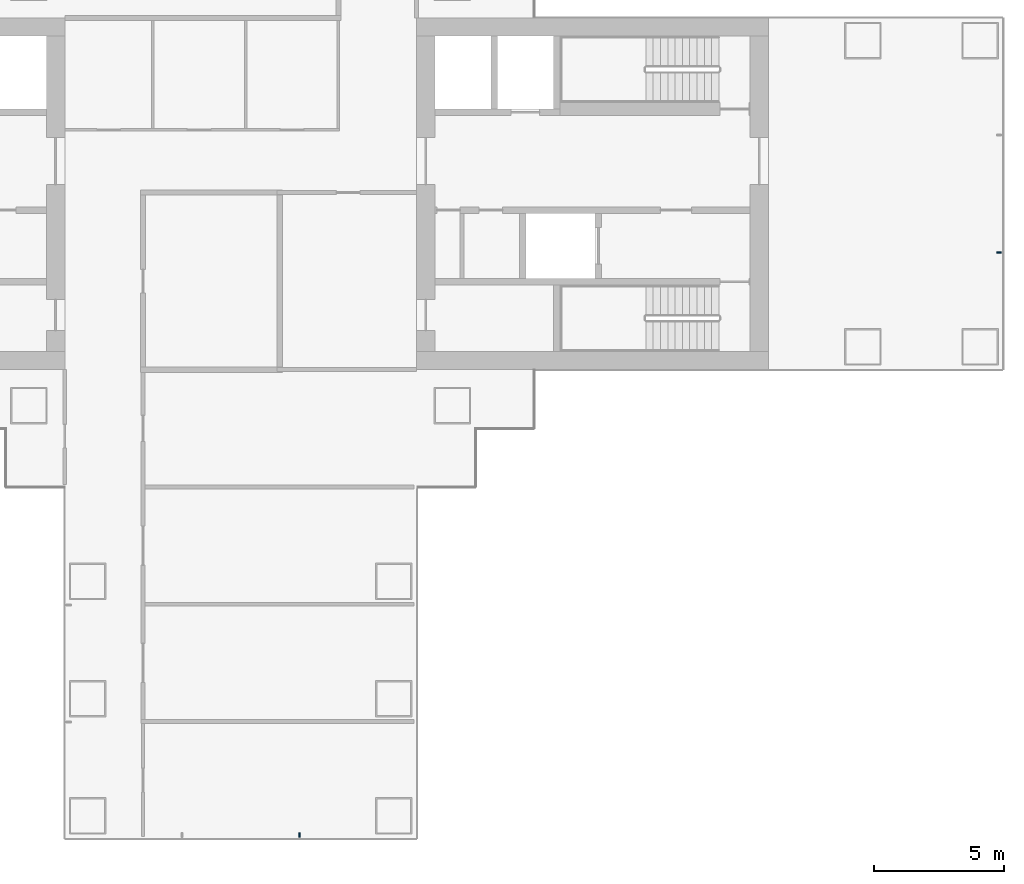
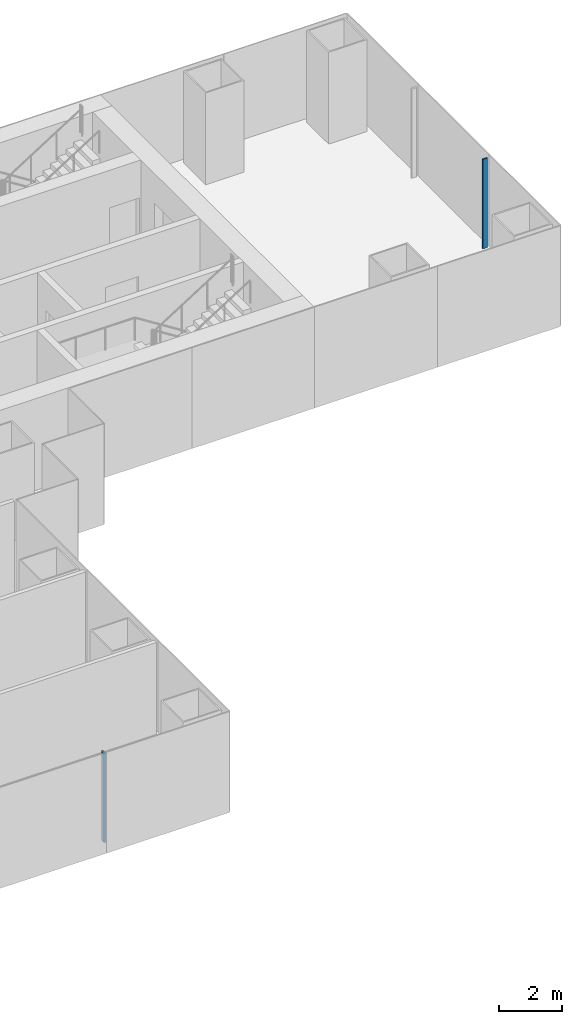
# One storey, part 7 of 21: 2 members, 2 elements without a shape of their own.
"""IFC4 building model written with IfcOpenShell, lengths in metres."""

from ifc_helpers import new_model, si_unit, direction, frame, origin, origin_2d, place, context, subcontext, project, spatial, rectangle, extrude, material, layer, layer_set, material_profile, profile_set, type_object, element, aggregate, save


model = new_model("IFC4")

# Units and contexts
model_context = context("Model", 3, precision=1e-05, world=origin(), true_north=direction((0.0, 1.0)))
body_context = subcontext(model_context, "Body", "Model", "MODEL_VIEW")
ifc_project = project(units=[si_unit("LENGTHUNIT", "METRE"), si_unit("AREAUNIT", "SQUARE_METRE"), si_unit("VOLUMEUNIT", "CUBIC_METRE"), si_unit("PLANEANGLEUNIT", "RADIAN"), si_unit("MASSUNIT", "GRAM", prefix="KILO")], contexts=[model_context])

# Site, building, storey
site_placement = place(None, origin())
site = spatial("IfcSite", under=ifc_project, at=site_placement, CompositionType="ELEMENT")
building_placement = place(site_placement, origin())
building = spatial("IfcBuilding", under=site, at=building_placement, Name="Shamsa Quay Exchange Towers", CompositionType="ELEMENT")
storey_placement = place(building_placement, frame((0.0, 0.0, 45.89990234375)))
storey = spatial("IfcBuildingStorey", under=building, at=storey_placement, Name="L09", CompositionType="ELEMENT", Elevation=45.89990234375)

# Curtain wall, member
ifc_material = material(Name="Aluminium EN AW-6063 T6, black anodised", Category="aluminium")
ifc_layer = layer(ifc_material, 0.280029296875)
ifc_layer_set = layer_set([ifc_layer], Name="CW-1 UNITISED VISION GLASS")
curtain_wall_type = type_object("IfcCurtainWallType", Name="CW-1 UNITISED VISION GLASS", PredefinedType="NOTDEFINED", material=ifc_layer_set)
curtain_wall_1_placement = place(storey_placement, origin())
curtain_wall_1 = element("IfcCurtainWall", 1, at=curtain_wall_1_placement, inside=storey, type_object=curtain_wall_type, Name="CW1 T2-END-V- L09", PredefinedType="NOTDEFINED")
ifc_material_profile = material_profile(ifc_material, rectangle(XDim=0.179931640625, YDim=0.06005859375, at=origin_2d()), Name="MU60x180")
ifc_profile_set = profile_set([ifc_material_profile], Name="Aluminium EN AW-6063 T6, black anodised")
member_type = type_object("IfcMemberType", Name="CW1 MULLION 60x180", PredefinedType="MULLION", material=ifc_profile_set)
member_1_placement = place(storey_placement, frame((62.85009765625, -2.25, 0.0), z_axis=(0.0, 0.0, 1.0), x_axis=(-1.0, 0.0, 0.0)))
member_1 = element("IfcMember", 2, at=member_1_placement, type_object=member_type, Name="CW1 mullion", PredefinedType="MULLION", context=body_context, shape_type="SweptSolid", body=[
    extrude(rectangle(XDim=0.179931640625, YDim=0.06005859375, at=origin_2d()), origin(), (0.0, 0.0, 1.0), 3.4501953125),
])
aggregate(curtain_wall_1, [member_1])

curtain_wall_2_placement = place(storey_placement, origin())
curtain_wall_2 = element("IfcCurtainWall", 3, at=curtain_wall_2_placement, inside=storey, type_object=curtain_wall_type, Name="CW1 T2-END-U- L09", PredefinedType="NOTDEFINED")
member_2_placement = place(storey_placement, frame((36.0, -24.60009765625, 0.0), z_axis=(0.0, 0.0, 1.0), x_axis=(0.0, 1.0, 0.0)))
member_2 = element("IfcMember", 4, at=member_2_placement, type_object=member_type, Name="CW1 mullion", PredefinedType="MULLION", context=body_context, shape_type="SweptSolid", body=[
    extrude(rectangle(XDim=0.179931640625, YDim=0.06005859375, at=origin_2d()), origin(), (0.0, 0.0, 1.0), 3.4501953125),
])
aggregate(curtain_wall_2, [member_2])

save(model, "model.ifc")
